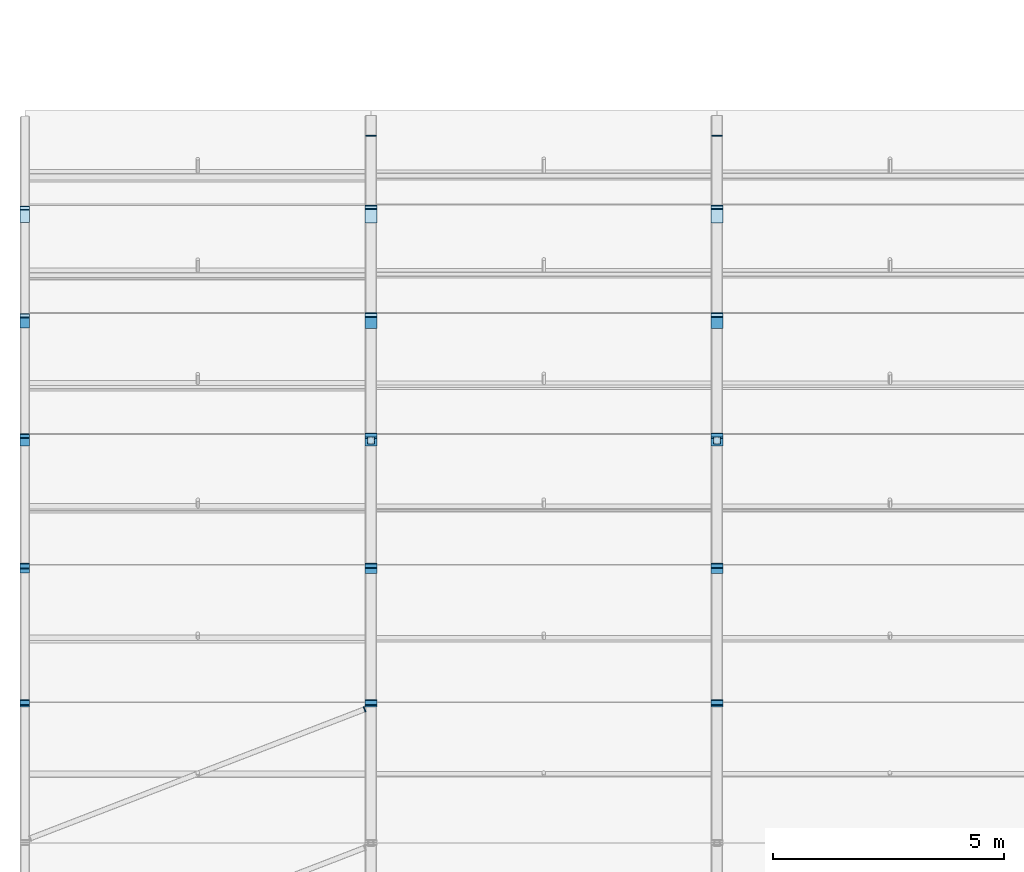
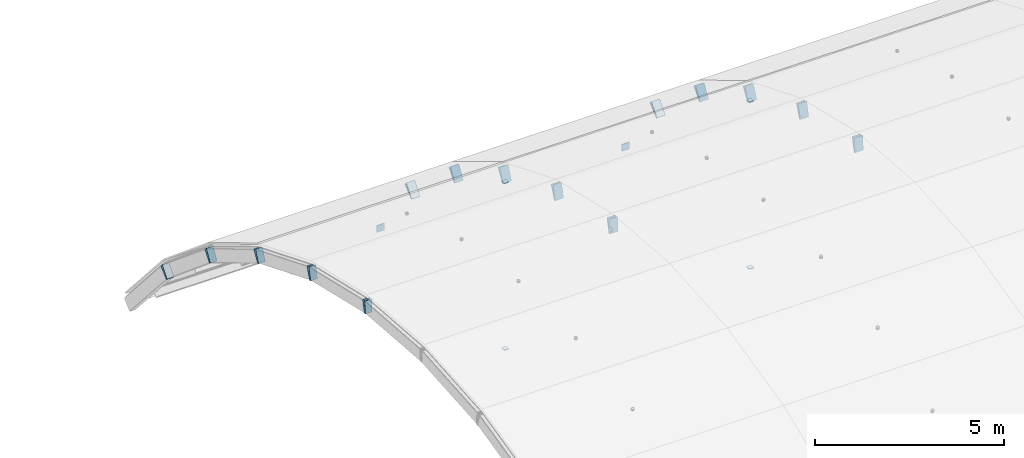
# One storey, part 50 of 77: 37 plates.
"""IFC4 building model written with IfcOpenShell, lengths in metres."""

from ifc_helpers import new_model, si_unit, direction, frame, origin, origin_2d, place, context, subcontext, project, spatial, rectangle, extrude, material, layer, layer_set, type_object, element, save


model = new_model("IFC4")

# Units and contexts
model_context = context("Model", 3, precision=1e-05, world=origin(), true_north=direction((0.0, 1.0)))
body_context = subcontext(model_context, "Body", "Model", "MODEL_VIEW")
ifc_project = project(units=[si_unit("LENGTHUNIT", "METRE"), si_unit("AREAUNIT", "SQUARE_METRE"), si_unit("VOLUMEUNIT", "CUBIC_METRE"), si_unit("PLANEANGLEUNIT", "RADIAN"), si_unit("MASSUNIT", "GRAM", prefix="KILO")], contexts=[model_context])

# Site, building, storey
site_placement = place(None, origin())
site = spatial("IfcSite", under=ifc_project, at=site_placement, CompositionType="ELEMENT")
building_placement = place(site_placement, origin())
building = spatial("IfcBuilding", under=site, at=building_placement, Name="Yukiwa Park Conservatory and Herbarium", CompositionType="ELEMENT")
storey_placement = place(building_placement, frame((0.0, 0.0, 13.199951171875)))
storey = spatial("IfcBuildingStorey", under=building, at=storey_placement, Name="L03", CompositionType="ELEMENT", Elevation=13.199951171875)

# Plates
ifc_material_1 = material(Name="Steel Q355D", Category="steel")
ifc_layer_1 = layer(ifc_material_1, 0.02392578125)
ifc_layer_set_1 = layer_set([ifc_layer_1], Name="Steel Q355D")
plate_type_1 = type_object("IfcPlateType", Name="PL-CAP-24", PredefinedType="USERDEFINED", material=ifc_layer_set_1)
plate_1_placement = place(storey_placement, frame((0.0, 18.561767578125, 3.37060546875), z_axis=(0.0, 0.997458699831, -0.071247049988), x_axis=(-1.0, 0.0, 0.0)))
element("IfcPlate", 1, at=plate_1_placement, inside=storey, type_object=plate_type_1, Name="Hollow section end cap plate CAP-RIB01-C07B", ObjectType="END CAP PLATE", PredefinedType="USERDEFINED", context=body_context, shape_type="SweptSolid", body=[
    extrude(rectangle(XDim=0.2080078125, YDim=0.407958984375, at=origin_2d()), origin(), (0.0, 0.0, 1.0), 0.02392578125),
])
plate_2_placement = place(storey_placement, frame((0.0, 18.658203125, 3.354248046875), z_axis=(0.0, -0.972479178012, 0.232989803065), x_axis=(1.0, 0.0, 0.0)))
element("IfcPlate", 2, at=plate_2_placement, inside=storey, type_object=plate_type_1, Name="Hollow section end cap plate CAP-RIB01-C08A", ObjectType="END CAP PLATE", PredefinedType="USERDEFINED", context=body_context, shape_type="SweptSolid", body=[
    extrude(rectangle(XDim=0.2080078125, YDim=0.407958984375, at=origin_2d()), origin(), (0.0, 0.0, 1.0), 0.024169921875),
])
for number, where, z_axis, x_axis, name in (
    (3, (0.0, 21.492919921875, 2.68505859375), (0.0, 0.974732318528, -0.223376156329), (-1.0, 0.0, 0.0), "Hollow section end cap plate CAP-RIB01-C08B"),
    (4, (0.0, 21.585693359375, 2.654052734375), (0.0, -0.926355609378, 0.376650082934), (1.0, 0.0, 0.0), "Hollow section end cap plate CAP-RIB01-C09A"),
    (5, (0.0, 24.28369140625, 1.556396484375), (0.0, 0.926355609378, -0.376650082934), (-1.0, 0.0, 0.0), "Hollow section end cap plate CAP-RIB01-C09B"),
    (6, (0.0, 24.370361328125, 1.511474609375), (0.0, -0.854787515222, 0.518978134242), (1.0, 0.0, 0.0), "Hollow section end cap plate CAP-RIB01-C10A"),
):
    element("IfcPlate", number, at=place(storey_placement, frame(where, z_axis=z_axis, x_axis=x_axis)), inside=storey, type_object=plate_type_1, Name=name, ObjectType="END CAP PLATE", PredefinedType="USERDEFINED", context=body_context, shape_type="SweptSolid", body=[
        extrude(rectangle(XDim=0.2080078125, YDim=0.407958984375, at=origin_2d()), origin(), (0.0, 0.0, 1.0), 0.02392578125),
    ])
plate_3_placement = place(storey_placement, frame((0.0, 26.8671875, 0.01171875), z_axis=(0.0, 0.857492925713, -0.514495755428), x_axis=(-1.0, 0.0, 0.0)))
element("IfcPlate", 7, at=plate_3_placement, inside=storey, type_object=plate_type_1, Name="Hollow section end cap plate CAP-RIB01-C10B", ObjectType="END CAP PLATE", PredefinedType="USERDEFINED", context=body_context, shape_type="SweptSolid", body=[
    extrude(rectangle(XDim=0.2080078125, YDim=0.407958984375, at=origin_2d()), origin(), (0.0, 0.0, 1.0), 0.024169921875),
])
for number, where, z_axis, x_axis, name in (
    (8, (0.0, 26.946044921875, -0.046142578125), (0.0, -0.76570486479, 0.643192086423), (1.0, 0.0, 0.0), "Hollow section end cap plate CAP-RIB01-C11A"),
    (9, (0.0, 29.182373046875, -1.912353515625), (0.0, 0.76570486479, -0.643192086423), (-1.0, 0.0, 0.0), "Hollow section end cap plate CAP-RIB01-C11B"),
    (10, (0.0, 29.251220703125, -1.981689453125), (0.0, -0.659940990637, 0.751317435494), (1.0, 0.0, 0.0), "Hollow section end cap plate CAP-RIB01-C12A"),
):
    element("IfcPlate", number, at=place(storey_placement, frame(where, z_axis=z_axis, x_axis=x_axis)), inside=storey, type_object=plate_type_1, Name=name, ObjectType="END CAP PLATE", PredefinedType="USERDEFINED", context=body_context, shape_type="SweptSolid", body=[
        extrude(rectangle(XDim=0.2080078125, YDim=0.407958984375, at=origin_2d()), origin(), (0.0, 0.0, 1.0), 0.02392578125),
    ])
plate_4_placement = place(storey_placement, frame((7.5, 18.561767578125, 3.37060546875), z_axis=(0.0, 0.997458699831, -0.071247049988), x_axis=(-1.0, 0.0, 0.0)))
element("IfcPlate", 11, at=plate_4_placement, inside=storey, type_object=plate_type_1, Name="Hollow section end cap plate CAP-RIB02-C07B", ObjectType="END CAP PLATE", PredefinedType="USERDEFINED", context=body_context, shape_type="SweptSolid", body=[
    extrude(rectangle(XDim=0.258056640625, YDim=0.4580078125, at=origin_2d()), origin(), (0.0, 0.0, 1.0), 0.02392578125),
])
plate_5_placement = place(storey_placement, frame((7.5, 18.658203125, 3.354248046875), z_axis=(0.0, -0.972479178012, 0.232989803065), x_axis=(1.0, 0.0, 0.0)))
element("IfcPlate", 12, at=plate_5_placement, inside=storey, type_object=plate_type_1, Name="Hollow section end cap plate CAP-RIB02-C08A", ObjectType="END CAP PLATE", PredefinedType="USERDEFINED", context=body_context, shape_type="SweptSolid", body=[
    extrude(rectangle(XDim=0.258056640625, YDim=0.4580078125, at=origin_2d()), origin(), (0.0, 0.0, 1.0), 0.024169921875),
])
for number, where, z_axis, x_axis, name in (
    (13, (7.5, 21.492919921875, 2.68505859375), (0.0, 0.974732318528, -0.223376156329), (-1.0, 0.0, 0.0), "Hollow section end cap plate CAP-RIB02-C08B"),
    (14, (7.5, 21.585693359375, 2.654052734375), (0.0, -0.926355609378, 0.376650082934), (1.0, 0.0, 0.0), "Hollow section end cap plate CAP-RIB02-C09A"),
    (15, (7.5, 24.28369140625, 1.556396484375), (0.0, 0.926355609378, -0.376650082934), (-1.0, 0.0, 0.0), "Hollow section end cap plate CAP-RIB02-C09B"),
    (16, (7.5, 24.370361328125, 1.511474609375), (0.0, -0.854787515222, 0.518978134242), (1.0, 0.0, 0.0), "Hollow section end cap plate CAP-RIB02-C10A"),
):
    element("IfcPlate", number, at=place(storey_placement, frame(where, z_axis=z_axis, x_axis=x_axis)), inside=storey, type_object=plate_type_1, Name=name, ObjectType="END CAP PLATE", PredefinedType="USERDEFINED", context=body_context, shape_type="SweptSolid", body=[
        extrude(rectangle(XDim=0.258056640625, YDim=0.4580078125, at=origin_2d()), origin(), (0.0, 0.0, 1.0), 0.02392578125),
    ])
plate_6_placement = place(storey_placement, frame((7.5, 26.8671875, 0.01171875), z_axis=(0.0, 0.857492925713, -0.514495755428), x_axis=(-1.0, 0.0, 0.0)))
element("IfcPlate", 17, at=plate_6_placement, inside=storey, type_object=plate_type_1, Name="Hollow section end cap plate CAP-RIB02-C10B", ObjectType="END CAP PLATE", PredefinedType="USERDEFINED", context=body_context, shape_type="SweptSolid", body=[
    extrude(rectangle(XDim=0.258056640625, YDim=0.4580078125, at=origin_2d()), origin(), (0.0, 0.0, 1.0), 0.024169921875),
])
for number, where, z_axis, x_axis, name in (
    (18, (7.5, 26.946044921875, -0.046142578125), (0.0, -0.76570486479, 0.643192086423), (1.0, 0.0, 0.0), "Hollow section end cap plate CAP-RIB02-C11A"),
    (19, (7.5, 29.182373046875, -1.912353515625), (0.0, 0.76570486479, -0.643192086423), (-1.0, 0.0, 0.0), "Hollow section end cap plate CAP-RIB02-C11B"),
    (20, (7.5, 29.251220703125, -1.981689453125), (0.0, -0.659940990637, 0.751317435494), (1.0, 0.0, 0.0), "Hollow section end cap plate CAP-RIB02-C12A"),
    (21, (15.0, 18.561767578125, 3.37060546875), (0.0, 0.997458699831, -0.071247049988), (-1.0, 0.0, 0.0), "Hollow section end cap plate CAP-RIB03-C07B"),
):
    element("IfcPlate", number, at=place(storey_placement, frame(where, z_axis=z_axis, x_axis=x_axis)), inside=storey, type_object=plate_type_1, Name=name, ObjectType="END CAP PLATE", PredefinedType="USERDEFINED", context=body_context, shape_type="SweptSolid", body=[
        extrude(rectangle(XDim=0.258056640625, YDim=0.4580078125, at=origin_2d()), origin(), (0.0, 0.0, 1.0), 0.02392578125),
    ])
plate_7_placement = place(storey_placement, frame((15.0, 18.658203125, 3.354248046875), z_axis=(0.0, -0.972479178012, 0.232989803065), x_axis=(1.0, 0.0, 0.0)))
element("IfcPlate", 22, at=plate_7_placement, inside=storey, type_object=plate_type_1, Name="Hollow section end cap plate CAP-RIB03-C08A", ObjectType="END CAP PLATE", PredefinedType="USERDEFINED", context=body_context, shape_type="SweptSolid", body=[
    extrude(rectangle(XDim=0.258056640625, YDim=0.4580078125, at=origin_2d()), origin(), (0.0, 0.0, 1.0), 0.024169921875),
])
for number, where, z_axis, x_axis, name in (
    (23, (15.0, 21.492919921875, 2.68505859375), (0.0, 0.974732318528, -0.223376156329), (-1.0, 0.0, 0.0), "Hollow section end cap plate CAP-RIB03-C08B"),
    (24, (15.0, 21.585693359375, 2.654052734375), (0.0, -0.926355609378, 0.376650082934), (1.0, 0.0, 0.0), "Hollow section end cap plate CAP-RIB03-C09A"),
    (25, (15.0, 24.28369140625, 1.556396484375), (0.0, 0.926355609378, -0.376650082934), (-1.0, 0.0, 0.0), "Hollow section end cap plate CAP-RIB03-C09B"),
    (26, (15.0, 24.370361328125, 1.511474609375), (0.0, -0.854787515222, 0.518978134242), (1.0, 0.0, 0.0), "Hollow section end cap plate CAP-RIB03-C10A"),
):
    element("IfcPlate", number, at=place(storey_placement, frame(where, z_axis=z_axis, x_axis=x_axis)), inside=storey, type_object=plate_type_1, Name=name, ObjectType="END CAP PLATE", PredefinedType="USERDEFINED", context=body_context, shape_type="SweptSolid", body=[
        extrude(rectangle(XDim=0.258056640625, YDim=0.4580078125, at=origin_2d()), origin(), (0.0, 0.0, 1.0), 0.02392578125),
    ])
plate_8_placement = place(storey_placement, frame((15.0, 26.8671875, 0.01171875), z_axis=(0.0, 0.857492925713, -0.514495755428), x_axis=(-1.0, 0.0, 0.0)))
element("IfcPlate", 27, at=plate_8_placement, inside=storey, type_object=plate_type_1, Name="Hollow section end cap plate CAP-RIB03-C10B", ObjectType="END CAP PLATE", PredefinedType="USERDEFINED", context=body_context, shape_type="SweptSolid", body=[
    extrude(rectangle(XDim=0.258056640625, YDim=0.4580078125, at=origin_2d()), origin(), (0.0, 0.0, 1.0), 0.024169921875),
])
for number, where, z_axis, x_axis, name in (
    (28, (15.0, 26.946044921875, -0.046142578125), (0.0, -0.76570486479, 0.643192086423), (1.0, 0.0, 0.0), "Hollow section end cap plate CAP-RIB03-C11A"),
    (29, (15.0, 29.182373046875, -1.912353515625), (0.0, 0.76570486479, -0.643192086423), (-1.0, 0.0, 0.0), "Hollow section end cap plate CAP-RIB03-C11B"),
    (30, (15.0, 29.251220703125, -1.981689453125), (0.0, -0.659940990637, 0.751317435494), (1.0, 0.0, 0.0), "Hollow section end cap plate CAP-RIB03-C12A"),
):
    element("IfcPlate", number, at=place(storey_placement, frame(where, z_axis=z_axis, x_axis=x_axis)), inside=storey, type_object=plate_type_1, Name=name, ObjectType="END CAP PLATE", PredefinedType="USERDEFINED", context=body_context, shape_type="SweptSolid", body=[
        extrude(rectangle(XDim=0.258056640625, YDim=0.4580078125, at=origin_2d()), origin(), (0.0, 0.0, 1.0), 0.02392578125),
    ])
plate_9_placement = place(storey_placement, frame((7.355712890625, 18.492431640625, 3.328369140625), z_axis=(0.934214787691, 0.355407799665, -0.030463525686), x_axis=(-0.355572828447, 0.934648577632, 0.0)))
element("IfcPlate", 31, at=plate_9_placement, inside=storey, type_object=plate_type_1, Name="Hollow section end cap plate CAP-VWBR-B1-F6B", ObjectType="END CAP PLATE", PredefinedType="USERDEFINED", context=body_context, shape_type="SweptSolid", body=[
    extrude(rectangle(XDim=0.122314453125, YDim=0.122314453125, at=origin_2d()), origin(), (0.0, 0.0, 1.0), 0.02392578125),
])
ifc_material_2 = material(Name="Steel Q355D", Category="steel")
ifc_layer_2 = layer(ifc_material_2, 0.02392578125)
ifc_layer_set_2 = layer_set([ifc_layer_2], Name="Steel Q355D")
plate_type_2 = type_object("IfcPlateType", Name="PL-CAP-24-INT", PredefinedType="USERDEFINED", material=ifc_layer_set_2)
plate_10_placement = place(storey_placement, frame((7.5, 30.910888671875, -4.199951171875), z_axis=(0.0, 1.0, 0.0), x_axis=(-1.0, 0.0, 0.0)))
element("IfcPlate", 32, at=plate_10_placement, inside=storey, type_object=plate_type_2, Name="Hollow section end cap plate CAP-VTIE-02-N", ObjectType="END CAP PLATE", PredefinedType="USERDEFINED", context=body_context, shape_type="SweptSolid", body=[
    extrude(rectangle(XDim=0.22705078125, YDim=0.22705078125, at=origin_2d()), origin(), (0.0, 0.0, 1.0), 0.024169921875),
])
plate_11_placement = place(storey_placement, frame((7.5, 24.320556640625, -4.087890625), z_axis=(0.0, 0.0, -1.0), x_axis=(1.0, 0.0, 0.0)))
element("IfcPlate", 33, at=plate_11_placement, inside=storey, type_object=plate_type_2, Name="Hollow section end cap plate CAP-VHNG-02-9B", ObjectType="END CAP PLATE", PredefinedType="USERDEFINED", context=body_context, shape_type="SweptSolid", body=[
    extrude(rectangle(XDim=0.147705078125, YDim=0.147705078125, at=origin_2d()), origin(), (0.0, 0.0, 1.0), 0.024169921875),
])
plate_12_placement = place(storey_placement, frame((7.5, 24.320556640625, 1.282470703125), z_axis=(0.0, 0.0, 1.0), x_axis=(1.0, 0.0, 0.0)))
element("IfcPlate", 34, at=plate_12_placement, inside=storey, type_object=plate_type_2, Name="Hollow section end cap plate CAP-VHNG-02-9T", ObjectType="END CAP PLATE", PredefinedType="USERDEFINED", context=body_context, shape_type="SweptSolid", body=[
    extrude(rectangle(XDim=0.147705078125, YDim=0.147705078125, at=origin_2d()), origin(), (0.0, 0.0, 1.0), 0.02392578125),
])
plate_13_placement = place(storey_placement, frame((15.0, 30.910888671875, -4.199951171875), z_axis=(0.0, 1.0, 0.0), x_axis=(-1.0, 0.0, 0.0)))
element("IfcPlate", 35, at=plate_13_placement, inside=storey, type_object=plate_type_2, Name="Hollow section end cap plate CAP-VTIE-03-N", ObjectType="END CAP PLATE", PredefinedType="USERDEFINED", context=body_context, shape_type="SweptSolid", body=[
    extrude(rectangle(XDim=0.22705078125, YDim=0.22705078125, at=origin_2d()), origin(), (0.0, 0.0, 1.0), 0.024169921875),
])
plate_14_placement = place(storey_placement, frame((15.0, 24.320556640625, -4.087890625), z_axis=(0.0, 0.0, -1.0), x_axis=(1.0, 0.0, 0.0)))
element("IfcPlate", 36, at=plate_14_placement, inside=storey, type_object=plate_type_2, Name="Hollow section end cap plate CAP-VHNG-03-9B", ObjectType="END CAP PLATE", PredefinedType="USERDEFINED", context=body_context, shape_type="SweptSolid", body=[
    extrude(rectangle(XDim=0.147705078125, YDim=0.147705078125, at=origin_2d()), origin(), (0.0, 0.0, 1.0), 0.024169921875),
])
plate_15_placement = place(storey_placement, frame((15.0, 24.320556640625, 1.282470703125), z_axis=(0.0, 0.0, 1.0), x_axis=(1.0, 0.0, 0.0)))
element("IfcPlate", 37, at=plate_15_placement, inside=storey, type_object=plate_type_2, Name="Hollow section end cap plate CAP-VHNG-03-9T", ObjectType="END CAP PLATE", PredefinedType="USERDEFINED", context=body_context, shape_type="SweptSolid", body=[
    extrude(rectangle(XDim=0.147705078125, YDim=0.147705078125, at=origin_2d()), origin(), (0.0, 0.0, 1.0), 0.02392578125),
])

save(model, "model.ifc")
